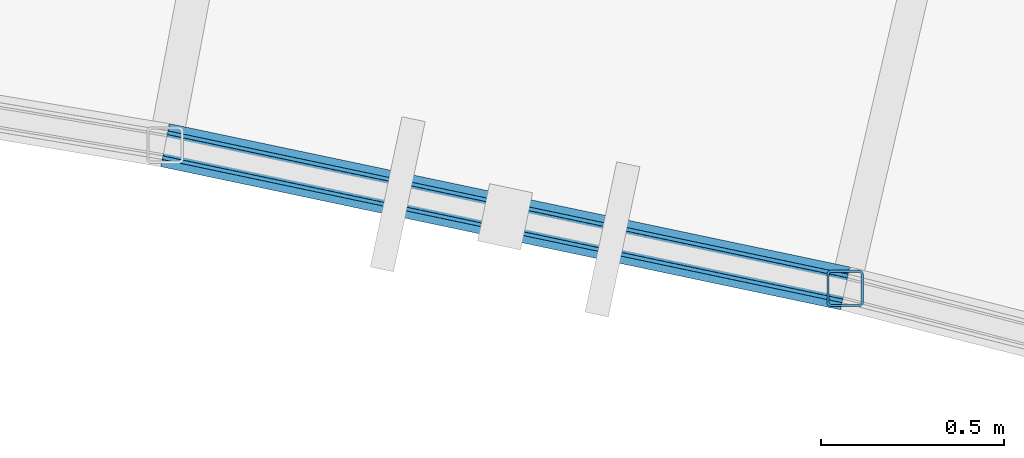
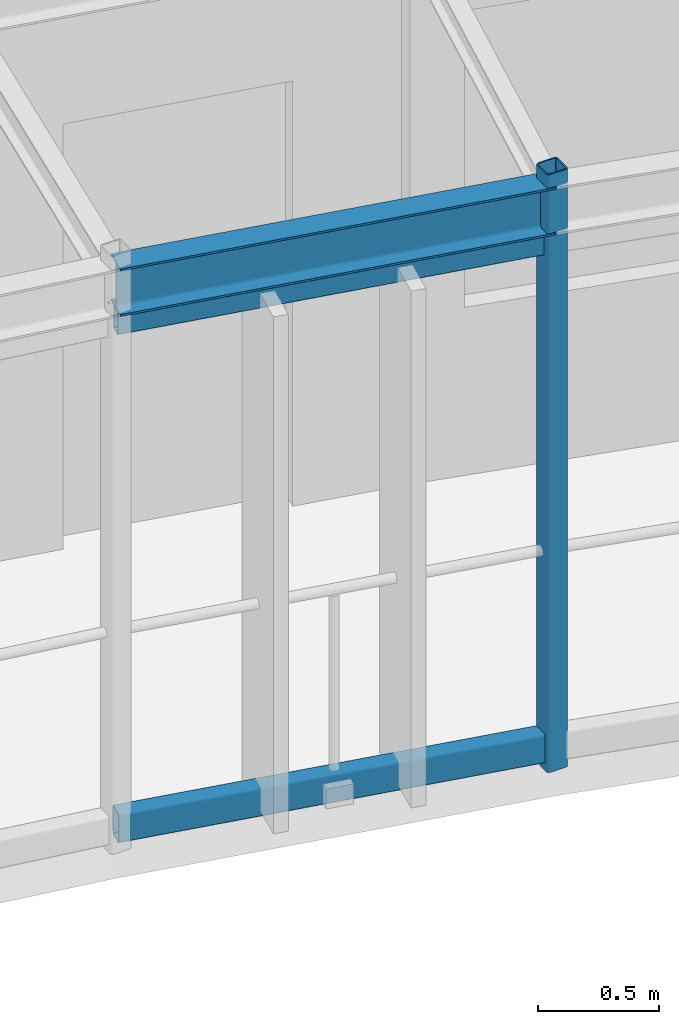
# One storey, part 30 of 100: 3 members, 1 beam.
"""IFC4 building model written with IfcOpenShell, lengths in metres."""

import ifcopenshell
import ifcopenshell.guid

model = None  # the IFC model being written
_history = None  # IfcOwnerHistory: only IFC2X3 demands one
_inside = {}  # id of a spatial element -> (the spatial element, [elements in it])
_under = {}  # id of a project, library or spatial element -> (it, [spatial elements below it])
_declared = {}  # id of a project -> (the project, [libraries it declares])
_typed = {}  # id of a type object -> (the type object, [elements of that type])
_made_of = {}  # id of a material, layer set ... -> (it, [elements and type objects made of it])


def new_model(schema):
    """Start an empty IFC model of exactly this schema.

    Asked for "IFC4X3", IfcOpenShell would pick the latest addendum, in which some entities
    have other attributes; the version numbers below select the first issue.
    IFC2X3 requires an IfcOwnerHistory on every rooted entity: one is made here for all.
    """
    global model, _history
    if schema == "IFC4X3":
        model = ifcopenshell.file(schema_version=(4, 3, 0, 0))
    else:
        model = ifcopenshell.file(schema=schema)
    _inside.clear()
    _under.clear()
    _declared.clear()
    _typed.clear()
    _made_of.clear()
    _history = None
    if model.schema == "IFC2X3":
        org = make("IfcOrganization", Name="unknown")
        user = make(
            "IfcPersonAndOrganization",
            ThePerson=make("IfcPerson", FamilyName="unknown"),
            TheOrganization=org,
        )
        app = make(
            "IfcApplication",
            ApplicationDeveloper=org,
            Version="unknown",
            ApplicationFullName="unknown",
            ApplicationIdentifier="unknown",
        )
        _history = make(
            "IfcOwnerHistory",
            OwningUser=user,
            OwningApplication=app,
            ChangeAction="ADDED",
            CreationDate=0,
        )
    return model


def make(cls, **values):
    """One entity of the class cls with the attributes given. An attribute that is None is left unset."""
    return model.create_entity(
        cls, **{name: value for name, value in values.items() if value is not None}
    )


def rooted(cls, **values):
    """An entity with a GlobalId (a new one), such as an element, a storey or a relation."""
    return make(cls, GlobalId=ifcopenshell.guid.new(), OwnerHistory=_history, **values)


def si_unit(unit_type, name, prefix=None):
    """IfcSIUnit, for example si_unit("LENGTHUNIT", "METRE", prefix="MILLI")."""
    return make("IfcSIUnit", UnitType=unit_type, Prefix=prefix, Name=name)


def assignment(units):
    """IfcUnitAssignment: the units of a project."""
    return None if units is None else make("IfcUnitAssignment", Units=units)


def point(xyz):
    """IfcCartesianPoint."""
    return None if xyz is None else make("IfcCartesianPoint", Coordinates=xyz)


def direction(xyz):
    """IfcDirection."""
    return None if xyz is None else make("IfcDirection", DirectionRatios=xyz)


def frame(location, z_axis=None, x_axis=None):
    """IfcAxis2Placement3D, a coordinate frame: its origin and axes. An axis left out is left unset."""
    return make(
        "IfcAxis2Placement3D",
        Location=point(location),
        Axis=direction(z_axis),
        RefDirection=direction(x_axis),
    )


def frame_2d(location, x_axis=None):
    """IfcAxis2Placement2D, a coordinate frame in the plane: its origin and x axis."""
    return make(
        "IfcAxis2Placement2D", Location=point(location), RefDirection=direction(x_axis)
    )


def origin():
    """The frame at (0, 0, 0) with its axes left unset."""
    return frame((0.0, 0.0, 0.0))


def origin_2d():
    """The frame at (0, 0) in the plane with its x axis left unset."""
    return frame_2d((0.0, 0.0))


def place(relative_to, where):
    """IfcLocalPlacement: puts the frame where relative to a parent placement (None: the world)."""
    return make(
        "IfcLocalPlacement", PlacementRelTo=relative_to, RelativePlacement=where
    )


def context(
    kind, dimensions, precision=None, world=None, true_north=None, identifier=None
):
    """IfcGeometricRepresentationContext, for example the 3D "Model" context."""
    return make(
        "IfcGeometricRepresentationContext",
        ContextIdentifier=identifier,
        ContextType=kind,
        CoordinateSpaceDimension=dimensions,
        Precision=precision,
        WorldCoordinateSystem=world,
        TrueNorth=true_north,
    )


def subcontext(parent, identifier, kind, view, scale=None):
    """IfcGeometricRepresentationSubContext, for example "Body" below "Model"."""
    return make(
        "IfcGeometricRepresentationSubContext",
        ContextIdentifier=identifier,
        ContextType=kind,
        ParentContext=parent,
        TargetScale=scale,
        TargetView=view,
    )


def project(units=None, contexts=None):
    """IfcProject with its units and contexts."""
    return rooted(
        "IfcProject",
        Name="project",
        RepresentationContexts=contexts,
        UnitsInContext=assignment(units),
    )


def spatial(cls, under=None, at=None, **own):
    """A site, building, storey or space (cls), placed at a placement, below another one or the project."""
    s = rooted(cls, ObjectPlacement=at, **own)
    if under is not None:
        _under.setdefault(under.id(), (under, []))[1].append(s)
    return s


def profile(cls, at=None, kind="AREA", **sizes):
    """A parametric profile (cls). Its sizes go by their IFC names, for example OverallWidth=200.0."""
    return make(cls, ProfileType=kind, Position=at, **sizes)


def hollow_rectangle(**sizes):
    """IfcRectangleHollowProfileDef."""
    return profile("IfcRectangleHollowProfileDef", **sizes)


def i_section(**sizes):
    """IfcIShapeProfileDef."""
    return profile("IfcIShapeProfileDef", **sizes)


def extrude(swept, where, along, depth):
    """IfcExtrudedAreaSolid: the profile swept, set in the frame where, extruded along a direction by depth."""
    return make(
        "IfcExtrudedAreaSolid",
        SweptArea=swept,
        Position=where,
        ExtrudedDirection=direction(along),
        Depth=depth,
    )


def shape(context_of_items, identifier, shape_type, items):
    """IfcShapeRepresentation: the items that make up one representation, for example the "Body"."""
    return make(
        "IfcShapeRepresentation",
        ContextOfItems=context_of_items,
        RepresentationIdentifier=identifier,
        RepresentationType=shape_type,
        Items=items,
    )


def material(Name=None, Category=None):
    """IfcMaterial."""
    return make("IfcMaterial", Name=Name, Category=Category)


def material_profile(
    of_material, cross_section, Name=None, Category=None, Priority=None
):
    """IfcMaterialProfile: a cross section and its material."""
    return make(
        "IfcMaterialProfile",
        Name=Name,
        Material=of_material,
        Profile=cross_section,
        Priority=Priority,
        Category=Category,
    )


def profile_set(profiles, Name=None, composite=None):
    """IfcMaterialProfileSet."""
    return make(
        "IfcMaterialProfileSet",
        Name=Name,
        MaterialProfiles=profiles,
        CompositeProfile=composite,
    )


def made_of(thing, what):
    """Note that an element or type object is made of a material, layer set ...; save() writes the relation."""
    if what is not None:
        _made_of.setdefault(what.id(), (what, []))[1].append(thing)
    return thing


def type_object(cls, material=None, **own):
    """A type object (cls), such as IfcWallType, which elements share."""
    return made_of(rooted(cls, **own), material)


def element(
    cls,
    number,
    at=None,
    inside=None,
    cuts=None,
    type_object=None,
    material=None,
    context=None,
    identifier="Body",
    shape_type=None,
    held_by="IfcProductDefinitionShape",
    body=None,
    shapes=None,
    **own,
):
    """One element of the class cls, such as IfcWall. Its Tag is "e" and its number.

    at: its placement. inside: the storey or other place that contains it. cuts: it is an
    opening in that element (IfcRelVoidsElement). A single representation is given by context,
    identifier, shape_type and body (its items); several are given by shapes. held_by: the class
    of the entity that holds the representations. save() writes the other relations.
    """
    e = rooted(cls, Tag="e%d" % number, ObjectPlacement=at, **own)
    if body is not None:
        shapes = [shape(context, identifier, shape_type, body)]
    if shapes is not None:
        e.Representation = make(held_by, Representations=shapes)
    if inside is not None:
        _inside.setdefault(inside.id(), (inside, []))[1].append(e)
    if cuts is not None:
        rooted(
            "IfcRelVoidsElement", RelatingBuildingElement=cuts, RelatedOpeningElement=e
        )
    if type_object is not None:
        _typed.setdefault(type_object.id(), (type_object, []))[1].append(e)
    return made_of(e, material)


def aggregate(whole, parts):
    """IfcRelAggregates: a whole, such as a stair, and the parts it consists of."""
    return rooted("IfcRelAggregates", RelatingObject=whole, RelatedObjects=parts)


def save(model, path):
    """Write the relations noted so far, then the file.

    IfcRelAggregates (storeys below a building ...), IfcRelContainedInSpatialStructure (elements
    in a storey), IfcRelDefinesByType, IfcRelAssociatesMaterial and IfcRelDeclares: one each for
    every whole, place, type object, material and project.
    """
    for whole, parts in _under.values():
        aggregate(whole, parts)
    for where, things in _inside.values():
        rooted(
            "IfcRelContainedInSpatialStructure",
            RelatedElements=things,
            RelatingStructure=where,
        )
    for kind, things in _typed.values():
        rooted("IfcRelDefinesByType", RelatedObjects=things, RelatingType=kind)
    for what, things in _made_of.values():
        rooted("IfcRelAssociatesMaterial", RelatedObjects=things, RelatingMaterial=what)
    for by, libraries in _declared.values():
        rooted("IfcRelDeclares", RelatingContext=by, RelatedDefinitions=libraries)
    model.write(path)


model = new_model("IFC4")

# Units and contexts
model_context = context("Model", 3, precision=1e-05, world=origin(), true_north=direction((0.0, 1.0)))
body_context = subcontext(model_context, "Body", "Model", "MODEL_VIEW")
ifc_project = project(units=[si_unit("LENGTHUNIT", "METRE"), si_unit("AREAUNIT", "SQUARE_METRE"), si_unit("VOLUMEUNIT", "CUBIC_METRE"), si_unit("PLANEANGLEUNIT", "RADIAN"), si_unit("MASSUNIT", "GRAM", prefix="KILO"), si_unit("POWERUNIT", "WATT"), si_unit("THERMODYNAMICTEMPERATUREUNIT", "KELVIN")], contexts=[model_context])

# Site, building, storey
site_placement = place(None, origin())
site = spatial("IfcSite", under=ifc_project, at=site_placement, CompositionType="ELEMENT")
building_placement = place(site_placement, origin())
building = spatial("IfcBuilding", under=site, at=building_placement, Name="Ruvembo Vaulted Housing Court", CompositionType="ELEMENT")
storey_placement = place(building_placement, frame((0.0, 0.0, 14.10009765625)))
storey = spatial("IfcBuildingStorey", under=building, at=storey_placement, Name="L04", CompositionType="ELEMENT", Elevation=14.10009765625)

# Beam
ifc_material = material(Name="Steel S355J2", Category="steel")
ifc_material_profile_1 = material_profile(ifc_material, i_section(OverallWidth=0.1201171875, OverallDepth=0.239990234375, WebThickness=0.006103515625, FlangeThickness=0.009765625, FilletRadius=0.014892578125, at=origin_2d()), Name="IPE 240")
ifc_profile_set_1 = profile_set([ifc_material_profile_1], Name="Steel S355J2")
beam_type = type_object("IfcBeamType", Name="BM-ST-IPE240", PredefinedType="BEAM", material=ifc_profile_set_1)
beam_placement = place(storey_placement, frame((125.505615234375, 95.00341796875, 2.81982421875), z_axis=(0.978529342624, -0.206107558387, 0.0), x_axis=(0.206107558387, 0.978529342624, 0.0)))
element("IfcBeam", 1, at=beam_placement, inside=storey, type_object=beam_type, Name="Scoop SC3 L04 Balcony Edge Spandrel 19", PredefinedType="BEAM", context=body_context, shape_type="SweptSolid", body=[
    extrude(i_section(OverallWidth=0.1201171875, OverallDepth=0.239990234375, WebThickness=0.006103515625, FlangeThickness=0.009765625, FilletRadius=0.014892578125, at=origin_2d()), origin(), (0.0, 0.0, 1.0), 1.901123046875),
])

# Members
ifc_material_profile_2 = material_profile(ifc_material, hollow_rectangle(XDim=0.06005859375, YDim=0.1201171875, WallThickness=0.0048828125, InnerFilletRadius=0.0048828125, OuterFilletRadius=0.010009765625, at=origin_2d()), Name="RHS 120x60x5")
ifc_profile_set_2 = profile_set([ifc_material_profile_2], Name="Steel S355J2")
member_type_1 = type_object("IfcMemberType", Name="MEM-CAR-RHS120", PredefinedType="CHORD", material=ifc_profile_set_2)
member_1_placement = place(storey_placement, frame((125.505615234375, 95.00341796875, 2.642822265625), z_axis=(0.978529342624, -0.206107558387, 0.0), x_axis=(0.206107558387, 0.978529342624, 0.0)))
element("IfcMember", 2, at=member_1_placement, inside=storey, type_object=member_type_1, Name="Scoop SC3 L04 Upper Louvre Carrier Rail 19", PredefinedType="CHORD", context=body_context, shape_type="SweptSolid", body=[
    extrude(hollow_rectangle(XDim=0.06005859375, YDim=0.1201171875, WallThickness=0.0048828125, InnerFilletRadius=0.0048828125, OuterFilletRadius=0.010009765625, at=origin_2d()), origin(), (0.0, 0.0, 1.0), 1.901123046875),
])
ifc_material_profile_3 = material_profile(ifc_material, hollow_rectangle(XDim=0.080078125, YDim=0.14990234375, WallThickness=0.00634765625, InnerFilletRadius=0.00634765625, OuterFilletRadius=0.0126953125, at=origin_2d()), Name="RHS 150x80x6.3")
ifc_profile_set_3 = profile_set([ifc_material_profile_3], Name="Steel S355J2")
member_type_2 = type_object("IfcMemberType", Name="MEM-CAR-RHS150", PredefinedType="CHORD", material=ifc_profile_set_3)
member_2_placement = place(storey_placement, frame((125.505615234375, 95.00341796875, 0.094970703125), z_axis=(0.978529342624, -0.206107558387, 0.0), x_axis=(0.206107558387, 0.978529342624, 0.0)))
element("IfcMember", 3, at=member_2_placement, inside=storey, type_object=member_type_2, Name="Scoop SC3 L04 Lower Louvre Carrier Rail 19", PredefinedType="CHORD", context=body_context, shape_type="SweptSolid", body=[
    extrude(hollow_rectangle(XDim=0.080078125, YDim=0.14990234375, WallThickness=0.00634765625, InnerFilletRadius=0.00634765625, OuterFilletRadius=0.0126953125, at=origin_2d()), origin(), (0.0, 0.0, 1.0), 1.901123046875),
])
ifc_material_profile_4 = material_profile(ifc_material, hollow_rectangle(XDim=0.10009765625, YDim=0.10009765625, WallThickness=0.00634765625, InnerFilletRadius=0.00634765625, OuterFilletRadius=0.0126953125, at=origin_2d()), Name="SHS 100x100x6.3")
ifc_profile_set_4 = profile_set([ifc_material_profile_4], Name="Steel S355J2")
member_type_3 = type_object("IfcMemberType", Name="MEM-FRM-SHS100", PredefinedType="STRUT", material=ifc_profile_set_4)
member_3_placement = place(storey_placement, frame((127.365966796875, 94.611572265625, -0.01513671875), z_axis=(0.0, 0.0, 1.0), x_axis=(1.0, 0.0, 0.0)))
element("IfcMember", 4, at=member_3_placement, inside=storey, type_object=member_type_3, Name="Scoop SC3 L04 Louvre Frame Post 20", PredefinedType="STRUT", context=body_context, shape_type="SweptSolid", body=[
    extrude(hollow_rectangle(XDim=0.10009765625, YDim=0.10009765625, WallThickness=0.00634765625, InnerFilletRadius=0.00634765625, OuterFilletRadius=0.0126953125, at=origin_2d()), origin(), (0.0, 0.0, 1.0), 3.02294921875),
])

save(model, "model.ifc")
